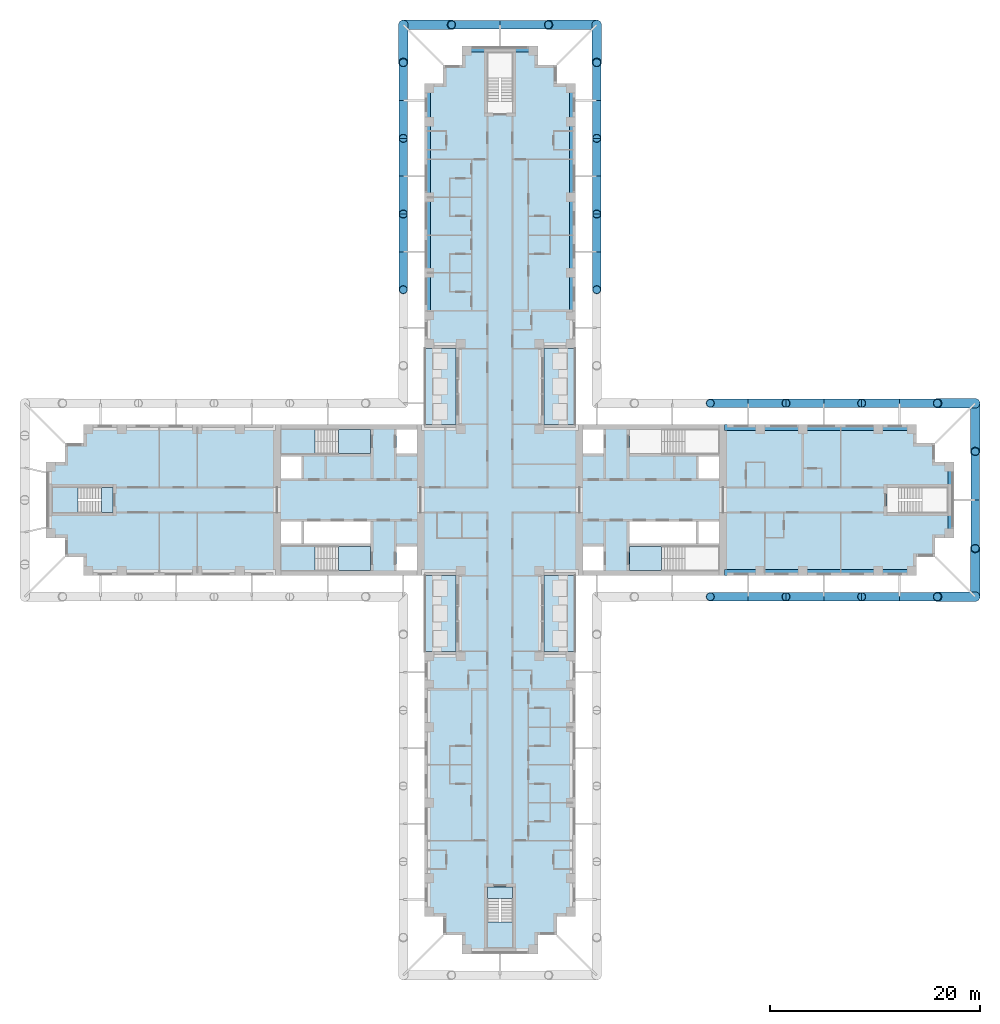
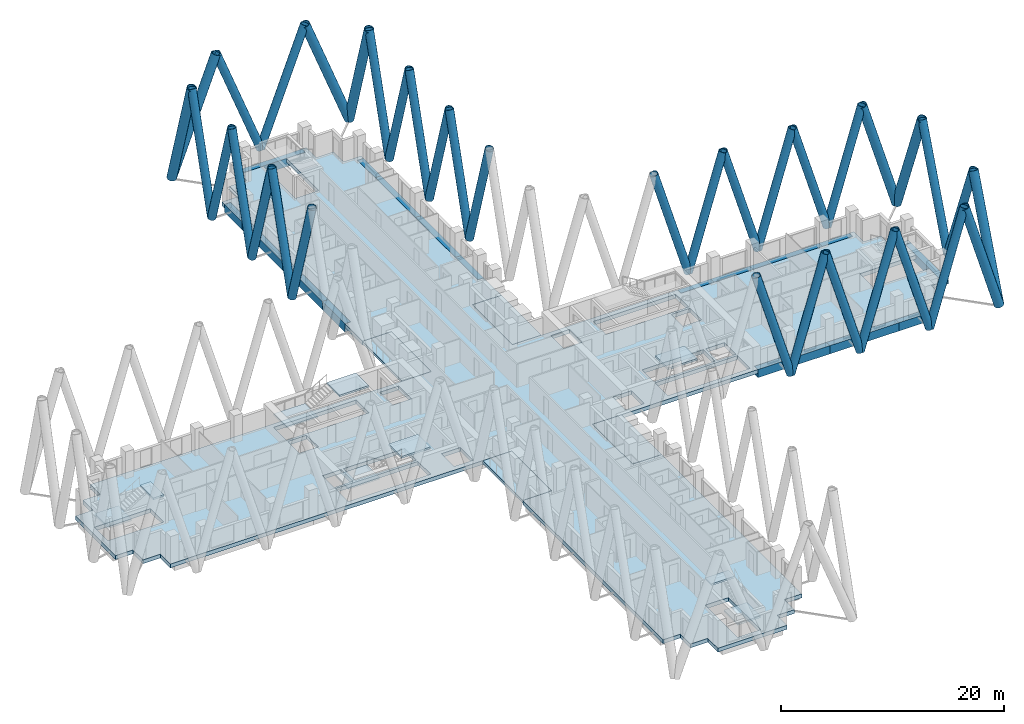
# One storey, part 2 of 17: 36 members, 18 beams, 14 slabs, 5 elements without a shape of their own.
"""IFC4 building model written with IfcOpenShell, lengths in metres."""

import ifcopenshell
import ifcopenshell.guid

model = None  # the IFC model being written
_history = None  # IfcOwnerHistory: only IFC2X3 demands one
_inside = {}  # id of a spatial element -> (the spatial element, [elements in it])
_under = {}  # id of a project, library or spatial element -> (it, [spatial elements below it])
_declared = {}  # id of a project -> (the project, [libraries it declares])
_typed = {}  # id of a type object -> (the type object, [elements of that type])
_made_of = {}  # id of a material, layer set ... -> (it, [elements and type objects made of it])


def new_model(schema):
    """Start an empty IFC model of exactly this schema.

    Asked for "IFC4X3", IfcOpenShell would pick the latest addendum, in which some entities
    have other attributes; the version numbers below select the first issue.
    IFC2X3 requires an IfcOwnerHistory on every rooted entity: one is made here for all.
    """
    global model, _history
    if schema == "IFC4X3":
        model = ifcopenshell.file(schema_version=(4, 3, 0, 0))
    else:
        model = ifcopenshell.file(schema=schema)
    _inside.clear()
    _under.clear()
    _declared.clear()
    _typed.clear()
    _made_of.clear()
    _history = None
    if model.schema == "IFC2X3":
        org = make("IfcOrganization", Name="unknown")
        user = make(
            "IfcPersonAndOrganization",
            ThePerson=make("IfcPerson", FamilyName="unknown"),
            TheOrganization=org,
        )
        app = make(
            "IfcApplication",
            ApplicationDeveloper=org,
            Version="unknown",
            ApplicationFullName="unknown",
            ApplicationIdentifier="unknown",
        )
        _history = make(
            "IfcOwnerHistory",
            OwningUser=user,
            OwningApplication=app,
            ChangeAction="ADDED",
            CreationDate=0,
        )
    return model


def make(cls, **values):
    """One entity of the class cls with the attributes given. An attribute that is None is left unset."""
    return model.create_entity(
        cls, **{name: value for name, value in values.items() if value is not None}
    )


def rooted(cls, **values):
    """An entity with a GlobalId (a new one), such as an element, a storey or a relation."""
    return make(cls, GlobalId=ifcopenshell.guid.new(), OwnerHistory=_history, **values)


def si_unit(unit_type, name, prefix=None):
    """IfcSIUnit, for example si_unit("LENGTHUNIT", "METRE", prefix="MILLI")."""
    return make("IfcSIUnit", UnitType=unit_type, Prefix=prefix, Name=name)


def assignment(units):
    """IfcUnitAssignment: the units of a project."""
    return None if units is None else make("IfcUnitAssignment", Units=units)


def point(xyz):
    """IfcCartesianPoint."""
    return None if xyz is None else make("IfcCartesianPoint", Coordinates=xyz)


def direction(xyz):
    """IfcDirection."""
    return None if xyz is None else make("IfcDirection", DirectionRatios=xyz)


def frame(location, z_axis=None, x_axis=None):
    """IfcAxis2Placement3D, a coordinate frame: its origin and axes. An axis left out is left unset."""
    return make(
        "IfcAxis2Placement3D",
        Location=point(location),
        Axis=direction(z_axis),
        RefDirection=direction(x_axis),
    )


def frame_2d(location, x_axis=None):
    """IfcAxis2Placement2D, a coordinate frame in the plane: its origin and x axis."""
    return make(
        "IfcAxis2Placement2D", Location=point(location), RefDirection=direction(x_axis)
    )


def origin():
    """The frame at (0, 0, 0) with its axes left unset."""
    return frame((0.0, 0.0, 0.0))


def origin_2d():
    """The frame at (0, 0) in the plane with its x axis left unset."""
    return frame_2d((0.0, 0.0))


def place(relative_to, where):
    """IfcLocalPlacement: puts the frame where relative to a parent placement (None: the world)."""
    return make(
        "IfcLocalPlacement", PlacementRelTo=relative_to, RelativePlacement=where
    )


def context(
    kind, dimensions, precision=None, world=None, true_north=None, identifier=None
):
    """IfcGeometricRepresentationContext, for example the 3D "Model" context."""
    return make(
        "IfcGeometricRepresentationContext",
        ContextIdentifier=identifier,
        ContextType=kind,
        CoordinateSpaceDimension=dimensions,
        Precision=precision,
        WorldCoordinateSystem=world,
        TrueNorth=true_north,
    )


def subcontext(parent, identifier, kind, view, scale=None):
    """IfcGeometricRepresentationSubContext, for example "Body" below "Model"."""
    return make(
        "IfcGeometricRepresentationSubContext",
        ContextIdentifier=identifier,
        ContextType=kind,
        ParentContext=parent,
        TargetScale=scale,
        TargetView=view,
    )


def project(units=None, contexts=None):
    """IfcProject with its units and contexts."""
    return rooted(
        "IfcProject",
        Name="project",
        RepresentationContexts=contexts,
        UnitsInContext=assignment(units),
    )


def spatial(cls, under=None, at=None, **own):
    """A site, building, storey or space (cls), placed at a placement, below another one or the project."""
    s = rooted(cls, ObjectPlacement=at, **own)
    if under is not None:
        _under.setdefault(under.id(), (under, []))[1].append(s)
    return s


def polyline(points):
    """IfcPolyline through the points."""
    return make("IfcPolyline", Points=[point(p) for p in points])


def profile(cls, at=None, kind="AREA", **sizes):
    """A parametric profile (cls). Its sizes go by their IFC names, for example OverallWidth=200.0."""
    return make(cls, ProfileType=kind, Position=at, **sizes)


def rectangle(**sizes):
    """IfcRectangleProfileDef."""
    return profile("IfcRectangleProfileDef", **sizes)


def hollow_circle(**sizes):
    """IfcCircleHollowProfileDef."""
    return profile("IfcCircleHollowProfileDef", **sizes)


def outline(outer, holes=None, kind="AREA"):
    """IfcArbitraryClosedProfileDef: a profile drawn as a closed curve; with holes, ...WithVoids."""
    if holes is None:
        return make("IfcArbitraryClosedProfileDef", ProfileType=kind, OuterCurve=outer)
    return make(
        "IfcArbitraryProfileDefWithVoids",
        ProfileType=kind,
        OuterCurve=outer,
        InnerCurves=holes,
    )


def extrude(swept, where, along, depth):
    """IfcExtrudedAreaSolid: the profile swept, set in the frame where, extruded along a direction by depth."""
    return make(
        "IfcExtrudedAreaSolid",
        SweptArea=swept,
        Position=where,
        ExtrudedDirection=direction(along),
        Depth=depth,
    )


def shape(context_of_items, identifier, shape_type, items):
    """IfcShapeRepresentation: the items that make up one representation, for example the "Body"."""
    return make(
        "IfcShapeRepresentation",
        ContextOfItems=context_of_items,
        RepresentationIdentifier=identifier,
        RepresentationType=shape_type,
        Items=items,
    )


def material(Name=None, Category=None):
    """IfcMaterial."""
    return make("IfcMaterial", Name=Name, Category=Category)


def layer(
    of_material, thickness, ventilated=None, Name=None, Category=None, Priority=None
):
    """IfcMaterialLayer: one layer of a wall or slab, of a material (None: an air gap)."""
    return make(
        "IfcMaterialLayer",
        Material=of_material,
        LayerThickness=thickness,
        IsVentilated=ventilated,
        Name=Name,
        Category=Category,
        Priority=Priority,
    )


def layer_set(layers, Name=None):
    """IfcMaterialLayerSet."""
    return make("IfcMaterialLayerSet", MaterialLayers=layers, LayerSetName=Name)


def material_profile(
    of_material, cross_section, Name=None, Category=None, Priority=None
):
    """IfcMaterialProfile: a cross section and its material."""
    return make(
        "IfcMaterialProfile",
        Name=Name,
        Material=of_material,
        Profile=cross_section,
        Priority=Priority,
        Category=Category,
    )


def profile_set(profiles, Name=None, composite=None):
    """IfcMaterialProfileSet."""
    return make(
        "IfcMaterialProfileSet",
        Name=Name,
        MaterialProfiles=profiles,
        CompositeProfile=composite,
    )


def made_of(thing, what):
    """Note that an element or type object is made of a material, layer set ...; save() writes the relation."""
    if what is not None:
        _made_of.setdefault(what.id(), (what, []))[1].append(thing)
    return thing


def type_object(cls, material=None, **own):
    """A type object (cls), such as IfcWallType, which elements share."""
    return made_of(rooted(cls, **own), material)


def element(
    cls,
    number,
    at=None,
    inside=None,
    cuts=None,
    type_object=None,
    material=None,
    context=None,
    identifier="Body",
    shape_type=None,
    held_by="IfcProductDefinitionShape",
    body=None,
    shapes=None,
    **own,
):
    """One element of the class cls, such as IfcWall. Its Tag is "e" and its number.

    at: its placement. inside: the storey or other place that contains it. cuts: it is an
    opening in that element (IfcRelVoidsElement). A single representation is given by context,
    identifier, shape_type and body (its items); several are given by shapes. held_by: the class
    of the entity that holds the representations. save() writes the other relations.
    """
    e = rooted(cls, Tag="e%d" % number, ObjectPlacement=at, **own)
    if body is not None:
        shapes = [shape(context, identifier, shape_type, body)]
    if shapes is not None:
        e.Representation = make(held_by, Representations=shapes)
    if inside is not None:
        _inside.setdefault(inside.id(), (inside, []))[1].append(e)
    if cuts is not None:
        rooted(
            "IfcRelVoidsElement", RelatingBuildingElement=cuts, RelatedOpeningElement=e
        )
    if type_object is not None:
        _typed.setdefault(type_object.id(), (type_object, []))[1].append(e)
    return made_of(e, material)


def aggregate(whole, parts):
    """IfcRelAggregates: a whole, such as a stair, and the parts it consists of."""
    return rooted("IfcRelAggregates", RelatingObject=whole, RelatedObjects=parts)


def save(model, path):
    """Write the relations noted so far, then the file.

    IfcRelAggregates (storeys below a building ...), IfcRelContainedInSpatialStructure (elements
    in a storey), IfcRelDefinesByType, IfcRelAssociatesMaterial and IfcRelDeclares: one each for
    every whole, place, type object, material and project.
    """
    for whole, parts in _under.values():
        aggregate(whole, parts)
    for where, things in _inside.values():
        rooted(
            "IfcRelContainedInSpatialStructure",
            RelatedElements=things,
            RelatingStructure=where,
        )
    for kind, things in _typed.values():
        rooted("IfcRelDefinesByType", RelatedObjects=things, RelatingType=kind)
    for what, things in _made_of.values():
        rooted("IfcRelAssociatesMaterial", RelatedObjects=things, RelatingMaterial=what)
    for by, libraries in _declared.values():
        rooted("IfcRelDeclares", RelatingContext=by, RelatedDefinitions=libraries)
    model.write(path)


model = new_model("IFC4")

# Units and contexts
model_context = context("Model", 3, precision=1e-05, world=origin(), true_north=direction((0.0, 1.0)))
body_context = subcontext(model_context, "Body", "Model", "MODEL_VIEW")
ifc_project = project(units=[si_unit("LENGTHUNIT", "METRE"), si_unit("AREAUNIT", "SQUARE_METRE"), si_unit("VOLUMEUNIT", "CUBIC_METRE"), si_unit("PLANEANGLEUNIT", "RADIAN"), si_unit("MASSUNIT", "GRAM", prefix="KILO")], contexts=[model_context])

# Site, building, storey
site_placement = place(None, origin())
site = spatial("IfcSite", under=ifc_project, at=site_placement, CompositionType="ELEMENT")
building_placement = place(site_placement, origin())
building = spatial("IfcBuilding", under=site, at=building_placement, Name="Fustian Cross Tower", CompositionType="ELEMENT")
storey_placement = place(building_placement, frame((0.0, 0.0, 32.699951171875)))
storey = spatial("IfcBuildingStorey", under=building, at=storey_placement, Name="L09", CompositionType="ELEMENT", Elevation=32.699951171875)

# Members
ifc_material_1 = material(Name="Steel S355", Category="steel")
ifc_material_profile_1 = material_profile(ifc_material_1, hollow_circle(Radius=0.406494140625, WallThickness=0.0400390625, at=origin_2d()), Name="CHS 813x40")
ifc_profile_set_1 = profile_set([ifc_material_profile_1], Name="Steel S355")
member_type_1 = type_object("IfcMemberType", Name="DIAGRID DIAGONAL CHS 813x40", PredefinedType="BRACE", material=ifc_profile_set_1)
for number, where, z_axis, x_axis, name in (
    (1, (23.60009765625, -9.199951171875, 0.0), (-0.287355036744, 0.0, 0.957824139839), (0.0, -1.0, 0.0), "Diagrid diagonal E-S 04"),
    (2, (23.60009765625, -9.199951171875, 0.0), (0.287337158709, 0.0, 0.957829503213), (0.0, 1.0, 0.0), "Diagrid diagonal E-S 05"),
    (3, (30.800048828125, -9.199951171875, 0.0), (-0.287355036744, 0.0, 0.957824139839), (0.0, -1.0, 0.0), "Diagrid diagonal E-S 06"),
    (4, (30.800048828125, -9.199951171875, 0.0), (0.287337158709, 0.0, 0.957829503213), (0.0, 1.0, 0.0), "Diagrid diagonal E-S 07"),
    (5, (38.0, -9.199951171875, 0.0), (-0.287355036744, 0.0, 0.957824139839), (0.0, -1.0, 0.0), "Diagrid diagonal E-S 08"),
    (6, (38.0, -9.199951171875, 0.0), (0.287355036744, 0.0, 0.957824139839), (0.0, 1.0, 0.0), "Diagrid diagonal E-S 09"),
):
    element("IfcMember", number, at=place(storey_placement, frame(where, z_axis=z_axis, x_axis=x_axis)), inside=storey, type_object=member_type_1, Name=name, PredefinedType="BRACE", context=body_context, shape_type="SweptSolid", body=[
        extrude(hollow_circle(Radius=0.406494140625, WallThickness=0.0400390625, at=origin_2d()), origin(), (0.0, 0.0, 1.0), 12.5283203125),
    ])
for number, where, z_axis, x_axis, name in (
    (7, (45.199951171875, 0.0, 0.0), (0.0, -0.3579426369, 0.933743577589), (1.0, 0.0, 0.0), "Diagrid diagonal E-end 02"),
    (8, (45.199951171875, 0.0, 0.0), (0.0, 0.3579426369, 0.933743577589), (-1.0, 0.0, 0.0), "Diagrid diagonal E-end 03"),
):
    element("IfcMember", number, at=place(storey_placement, frame(where, z_axis=z_axis, x_axis=x_axis)), inside=storey, type_object=member_type_1, Name=name, PredefinedType="BRACE", context=body_context, shape_type="SweptSolid", body=[
        extrude(hollow_circle(Radius=0.406494140625, WallThickness=0.0400390625, at=origin_2d()), origin(), (0.0, 0.0, 1.0), 12.8515625),
    ])
for number, where, z_axis, x_axis, name in (
    (9, (38.0, 9.199951171875, 0.0), (0.287355036744, 0.0, 0.957824139839), (0.0, 1.0, 0.0), "Diagrid diagonal E-N 02"),
    (10, (38.0, 9.199951171875, 0.0), (-0.287355036744, 0.0, 0.957824139839), (0.0, -1.0, 0.0), "Diagrid diagonal E-N 03"),
    (11, (30.800048828125, 9.199951171875, 0.0), (0.287337158709, 0.0, 0.957829503213), (0.0, 1.0, 0.0), "Diagrid diagonal E-N 04"),
    (12, (30.800048828125, 9.199951171875, 0.0), (-0.287355036744, 0.0, 0.957824139839), (0.0, -1.0, 0.0), "Diagrid diagonal E-N 05"),
    (13, (23.60009765625, 9.199951171875, 0.0), (0.287337158709, 0.0, 0.957829503213), (0.0, 1.0, 0.0), "Diagrid diagonal E-N 06"),
    (14, (23.60009765625, 9.199951171875, 0.0), (-0.287355036744, 0.0, 0.957824139839), (0.0, -1.0, 0.0), "Diagrid diagonal E-N 07"),
    (15, (9.199951171875, 23.60009765625, 0.0), (0.0, -0.287355036744, 0.957824139839), (1.0, 0.0, 0.0), "Diagrid diagonal N-E 04"),
    (16, (9.199951171875, 23.60009765625, 0.0), (0.0, 0.287337158709, 0.957829503213), (-1.0, 0.0, 0.0), "Diagrid diagonal N-E 05"),
    (17, (9.199951171875, 30.800048828125, 0.0), (0.0, -0.287355036744, 0.957824139839), (1.0, 0.0, 0.0), "Diagrid diagonal N-E 06"),
    (18, (9.199951171875, 30.800048828125, 0.0), (0.0, 0.287337158709, 0.957829503213), (-1.0, 0.0, 0.0), "Diagrid diagonal N-E 07"),
    (19, (9.199951171875, 38.0, 0.0), (0.0, -0.287355036744, 0.957824139839), (1.0, 0.0, 0.0), "Diagrid diagonal N-E 08"),
    (20, (9.199951171875, 38.0, 0.0), (0.0, 0.287355036744, 0.957824139839), (-1.0, 0.0, 0.0), "Diagrid diagonal N-E 09"),
):
    element("IfcMember", number, at=place(storey_placement, frame(where, z_axis=z_axis, x_axis=x_axis)), inside=storey, type_object=member_type_1, Name=name, PredefinedType="BRACE", context=body_context, shape_type="SweptSolid", body=[
        extrude(hollow_circle(Radius=0.406494140625, WallThickness=0.0400390625, at=origin_2d()), origin(), (0.0, 0.0, 1.0), 12.5283203125),
    ])
for number, where, z_axis, x_axis, name in (
    (21, (0.0, 45.199951171875, 0.0), (0.3579426369, 0.0, 0.933743577589), (0.0, 1.0, 0.0), "Diagrid diagonal N-end 02"),
    (22, (0.0, 45.199951171875, 0.0), (-0.3579426369, 0.0, 0.933743577589), (0.0, -1.0, 0.0), "Diagrid diagonal N-end 03"),
):
    element("IfcMember", number, at=place(storey_placement, frame(where, z_axis=z_axis, x_axis=x_axis)), inside=storey, type_object=member_type_1, Name=name, PredefinedType="BRACE", context=body_context, shape_type="SweptSolid", body=[
        extrude(hollow_circle(Radius=0.406494140625, WallThickness=0.0400390625, at=origin_2d()), origin(), (0.0, 0.0, 1.0), 12.8515625),
    ])
for number, where, z_axis, x_axis, name in (
    (23, (-9.199951171875, 38.0, 0.0), (0.0, 0.287355036744, 0.957824139839), (-1.0, 0.0, 0.0), "Diagrid diagonal N-W 02"),
    (24, (-9.199951171875, 38.0, 0.0), (0.0, -0.287355036744, 0.957824139839), (1.0, 0.0, 0.0), "Diagrid diagonal N-W 03"),
    (25, (-9.199951171875, 30.800048828125, 0.0), (0.0, 0.287337158709, 0.957829503213), (-1.0, 0.0, 0.0), "Diagrid diagonal N-W 04"),
    (26, (-9.199951171875, 30.800048828125, 0.0), (0.0, -0.287355036744, 0.957824139839), (1.0, 0.0, 0.0), "Diagrid diagonal N-W 05"),
    (27, (-9.199951171875, 23.60009765625, 0.0), (0.0, 0.287337158709, 0.957829503213), (-1.0, 0.0, 0.0), "Diagrid diagonal N-W 06"),
    (28, (-9.199951171875, 23.60009765625, 0.0), (0.0, -0.287355036744, 0.957824139839), (1.0, 0.0, 0.0), "Diagrid diagonal N-W 07"),
):
    element("IfcMember", number, at=place(storey_placement, frame(where, z_axis=z_axis, x_axis=x_axis)), inside=storey, type_object=member_type_1, Name=name, PredefinedType="BRACE", context=body_context, shape_type="SweptSolid", body=[
        extrude(hollow_circle(Radius=0.406494140625, WallThickness=0.0400390625, at=origin_2d()), origin(), (0.0, 0.0, 1.0), 12.5283203125),
    ])
ifc_material_2 = material(Name="Steel S355", Category="steel")
ifc_material_profile_2 = material_profile(ifc_material_2, hollow_circle(Radius=0.457275390625, WallThickness=0.050048828125, at=origin_2d()), Name="CHS 914x50")
ifc_profile_set_2 = profile_set([ifc_material_profile_2], Name="Steel S355")
member_type_2 = type_object("IfcMemberType", Name="DIAGRID DIAGONAL CHS 914x50", PredefinedType="BRACE", material=ifc_profile_set_2)
member_1_placement = place(storey_placement, frame((45.199951171875, -9.199951171875, 0.0), z_axis=(-0.287337158709, 0.0, 0.957829503213), x_axis=(0.0, -1.0, 0.0)))
element("IfcMember", 29, at=member_1_placement, inside=storey, type_object=member_type_2, Name="Diagrid diagonal E-S 10", PredefinedType="BRACE", context=body_context, shape_type="SweptSolid", body=[
    extrude(hollow_circle(Radius=0.457275390625, WallThickness=0.050048828125, at=origin_2d()), origin(), (0.0, 0.0, 1.0), 12.5283203125),
])
for number, where, z_axis, x_axis, name in (
    (30, (45.199951171875, -9.199951171875, 0.0), (0.0, 0.357926073629, 0.933749926809), (-1.0, 0.0, 0.0), "Diagrid diagonal E-end 01"),
    (31, (45.199951171875, 9.199951171875, 0.0), (0.0, -0.357926073629, 0.933749926809), (1.0, 0.0, 0.0), "Diagrid diagonal E-end 04"),
):
    element("IfcMember", number, at=place(storey_placement, frame(where, z_axis=z_axis, x_axis=x_axis)), inside=storey, type_object=member_type_2, Name=name, PredefinedType="BRACE", context=body_context, shape_type="SweptSolid", body=[
        extrude(hollow_circle(Radius=0.457275390625, WallThickness=0.050048828125, at=origin_2d()), origin(), (0.0, 0.0, 1.0), 12.851318359375),
    ])
for number, where, z_axis, x_axis, name in (
    (32, (45.199951171875, 9.199951171875, 0.0), (-0.287337158709, 0.0, 0.957829503213), (0.0, -1.0, 0.0), "Diagrid diagonal E-N 01"),
    (33, (9.199951171875, 45.199951171875, 0.0), (0.0, -0.287337158709, 0.957829503213), (1.0, 0.0, 0.0), "Diagrid diagonal N-E 10"),
):
    element("IfcMember", number, at=place(storey_placement, frame(where, z_axis=z_axis, x_axis=x_axis)), inside=storey, type_object=member_type_2, Name=name, PredefinedType="BRACE", context=body_context, shape_type="SweptSolid", body=[
        extrude(hollow_circle(Radius=0.457275390625, WallThickness=0.050048828125, at=origin_2d()), origin(), (0.0, 0.0, 1.0), 12.5283203125),
    ])
for number, where, z_axis, x_axis, name in (
    (34, (9.199951171875, 45.199951171875, 0.0), (-0.357926073629, 0.0, 0.933749926809), (0.0, -1.0, 0.0), "Diagrid diagonal N-end 01"),
    (35, (-9.199951171875, 45.199951171875, 0.0), (0.357926073629, 0.0, 0.933749926809), (0.0, 1.0, 0.0), "Diagrid diagonal N-end 04"),
):
    element("IfcMember", number, at=place(storey_placement, frame(where, z_axis=z_axis, x_axis=x_axis)), inside=storey, type_object=member_type_2, Name=name, PredefinedType="BRACE", context=body_context, shape_type="SweptSolid", body=[
        extrude(hollow_circle(Radius=0.457275390625, WallThickness=0.050048828125, at=origin_2d()), origin(), (0.0, 0.0, 1.0), 12.851318359375),
    ])
member_2_placement = place(storey_placement, frame((-9.199951171875, 45.199951171875, 0.0), z_axis=(0.0, -0.287337158709, 0.957829503213), x_axis=(1.0, 0.0, 0.0)))
element("IfcMember", 36, at=member_2_placement, inside=storey, type_object=member_type_2, Name="Diagrid diagonal N-W 01", PredefinedType="BRACE", context=body_context, shape_type="SweptSolid", body=[
    extrude(hollow_circle(Radius=0.457275390625, WallThickness=0.050048828125, at=origin_2d()), origin(), (0.0, 0.0, 1.0), 12.5283203125),
])

# Beams
ifc_material_3 = material(Name="Concrete C50/60", Category="concrete")
ifc_material_profile_3 = material_profile(ifc_material_3, rectangle(XDim=0.60009765625, YDim=0.89990234375, at=origin_2d()), Name="RC 600x900")
ifc_profile_set_3 = profile_set([ifc_material_profile_3], Name="Concrete C50/60")
beam_type = type_object("IfcBeamType", Name="EDGE BEAM RC 600x900 C50/60", PredefinedType="SPANDREL", material=ifc_profile_set_3)
beam_1_placement = place(storey_placement, frame((21.35009765625, -6.89990234375, -0.449951171875), z_axis=(1.0, 0.0, 0.0), x_axis=(0.0, 1.0, 0.0)))
element("IfcBeam", 37, at=beam_1_placement, inside=storey, type_object=beam_type, Name="EDGE BEAM L09-01", PredefinedType="SPANDREL", context=body_context, shape_type="SweptSolid", body=[
    extrude(rectangle(XDim=0.60009765625, YDim=0.89990234375, at=origin_2d()), origin(), (0.0, 0.0, 1.0), 3.39990234375),
])
beam_2_placement = place(storey_placement, frame((24.75, -6.89990234375, -0.449951171875), z_axis=(1.0, 0.0, 0.0), x_axis=(0.0, 1.0, 0.0)))
element("IfcBeam", 38, at=beam_2_placement, inside=storey, type_object=beam_type, Name="EDGE BEAM L09-02", PredefinedType="SPANDREL", context=body_context, shape_type="SweptSolid", body=[
    extrude(rectangle(XDim=0.60009765625, YDim=0.89990234375, at=origin_2d()), origin(), (0.0, 0.0, 1.0), 4.050048828125),
])
beam_3_placement = place(storey_placement, frame((28.800048828125, -6.89990234375, -0.449951171875), z_axis=(1.0, 0.0, 0.0), x_axis=(0.0, 1.0, 0.0)))
element("IfcBeam", 39, at=beam_3_placement, inside=storey, type_object=beam_type, Name="EDGE BEAM L09-03", PredefinedType="SPANDREL", context=body_context, shape_type="SweptSolid", body=[
    extrude(rectangle(XDim=0.60009765625, YDim=0.89990234375, at=origin_2d()), origin(), (0.0, 0.0, 1.0), 7.199951171875),
])
beam_4_placement = place(storey_placement, frame((36.0, -6.89990234375, -0.449951171875), z_axis=(1.0, 0.0, 0.0), x_axis=(0.0, 1.0, 0.0)))
element("IfcBeam", 40, at=beam_4_placement, inside=storey, type_object=beam_type, Name="EDGE BEAM L09-04", PredefinedType="SPANDREL", context=body_context, shape_type="SweptSolid", body=[
    extrude(rectangle(XDim=0.60009765625, YDim=0.89990234375, at=origin_2d()), origin(), (0.0, 0.0, 1.0), 3.14990234375),
])
beam_5_placement = place(storey_placement, frame((42.89990234375, -3.14990234375, -0.449951171875), z_axis=(0.0, 1.0, 0.0), x_axis=(-1.0, 0.0, 0.0)))
element("IfcBeam", 41, at=beam_5_placement, inside=storey, type_object=beam_type, Name="EDGE BEAM L09-05", PredefinedType="SPANDREL", context=body_context, shape_type="SweptSolid", body=[
    extrude(rectangle(XDim=0.60009765625, YDim=0.89990234375, at=origin_2d()), origin(), (0.0, 0.0, 1.0), 6.2998046875),
])
beam_6_placement = place(storey_placement, frame((39.14990234375, 6.89990234375, -0.449951171875), z_axis=(-1.0, 0.0, 0.0), x_axis=(0.0, -1.0, 0.0)))
element("IfcBeam", 42, at=beam_6_placement, inside=storey, type_object=beam_type, Name="EDGE BEAM L09-06", PredefinedType="SPANDREL", context=body_context, shape_type="SweptSolid", body=[
    extrude(rectangle(XDim=0.60009765625, YDim=0.89990234375, at=origin_2d()), origin(), (0.0, 0.0, 1.0), 3.14990234375),
])
beam_7_placement = place(storey_placement, frame((36.0, 6.89990234375, -0.449951171875), z_axis=(-1.0, 0.0, 0.0), x_axis=(0.0, -1.0, 0.0)))
element("IfcBeam", 43, at=beam_7_placement, inside=storey, type_object=beam_type, Name="EDGE BEAM L09-07", PredefinedType="SPANDREL", context=body_context, shape_type="SweptSolid", body=[
    extrude(rectangle(XDim=0.60009765625, YDim=0.89990234375, at=origin_2d()), origin(), (0.0, 0.0, 1.0), 7.199951171875),
])
beam_8_placement = place(storey_placement, frame((28.800048828125, 6.89990234375, -0.449951171875), z_axis=(-1.0, 0.0, 0.0), x_axis=(0.0, -1.0, 0.0)))
element("IfcBeam", 44, at=beam_8_placement, inside=storey, type_object=beam_type, Name="EDGE BEAM L09-08", PredefinedType="SPANDREL", context=body_context, shape_type="SweptSolid", body=[
    extrude(rectangle(XDim=0.60009765625, YDim=0.89990234375, at=origin_2d()), origin(), (0.0, 0.0, 1.0), 4.050048828125),
])
beam_9_placement = place(storey_placement, frame((24.75, 6.89990234375, -0.449951171875), z_axis=(-1.0, 0.0, 0.0), x_axis=(0.0, -1.0, 0.0)))
element("IfcBeam", 45, at=beam_9_placement, inside=storey, type_object=beam_type, Name="EDGE BEAM L09-09", PredefinedType="SPANDREL", context=body_context, shape_type="SweptSolid", body=[
    extrude(rectangle(XDim=0.60009765625, YDim=0.89990234375, at=origin_2d()), origin(), (0.0, 0.0, 1.0), 3.39990234375),
])
beam_10_placement = place(storey_placement, frame((6.89990234375, 17.550048828125, -0.449951171875), z_axis=(0.0, 1.0, 0.0), x_axis=(-1.0, 0.0, 0.0)))
element("IfcBeam", 46, at=beam_10_placement, inside=storey, type_object=beam_type, Name="EDGE BEAM L09-14", PredefinedType="SPANDREL", context=body_context, shape_type="SweptSolid", body=[
    extrude(rectangle(XDim=0.60009765625, YDim=0.89990234375, at=origin_2d()), origin(), (0.0, 0.0, 1.0), 4.050048828125),
])
for number, where, z_axis, x_axis, name in (
    (47, (6.89990234375, 21.60009765625, -0.449951171875), (0.0, 1.0, 0.0), (-1.0, 0.0, 0.0), "EDGE BEAM L09-15"),
    (48, (6.89990234375, 28.800048828125, -0.449951171875), (0.0, 1.0, 0.0), (-1.0, 0.0, 0.0), "EDGE BEAM L09-16"),
):
    element("IfcBeam", number, at=place(storey_placement, frame(where, z_axis=z_axis, x_axis=x_axis)), inside=storey, type_object=beam_type, Name=name, PredefinedType="SPANDREL", context=body_context, shape_type="SweptSolid", body=[
        extrude(rectangle(XDim=0.60009765625, YDim=0.89990234375, at=origin_2d()), origin(), (0.0, 0.0, 1.0), 7.199951171875),
    ])
beam_11_placement = place(storey_placement, frame((6.89990234375, 36.0, -0.449951171875), z_axis=(0.0, 1.0, 0.0), x_axis=(-1.0, 0.0, 0.0)))
element("IfcBeam", 49, at=beam_11_placement, inside=storey, type_object=beam_type, Name="EDGE BEAM L09-17", PredefinedType="SPANDREL", context=body_context, shape_type="SweptSolid", body=[
    extrude(rectangle(XDim=0.60009765625, YDim=0.89990234375, at=origin_2d()), origin(), (0.0, 0.0, 1.0), 3.14990234375),
])
beam_12_placement = place(storey_placement, frame((3.14990234375, 42.89990234375, -0.449951171875), z_axis=(-1.0, 0.0, 0.0), x_axis=(0.0, -1.0, 0.0)))
element("IfcBeam", 50, at=beam_12_placement, inside=storey, type_object=beam_type, Name="EDGE BEAM L09-18", PredefinedType="SPANDREL", context=body_context, shape_type="SweptSolid", body=[
    extrude(rectangle(XDim=0.60009765625, YDim=0.89990234375, at=origin_2d()), origin(), (0.0, 0.0, 1.0), 6.2998046875),
])
beam_13_placement = place(storey_placement, frame((-6.89990234375, 39.14990234375, -0.449951171875), z_axis=(0.0, -1.0, 0.0), x_axis=(1.0, 0.0, 0.0)))
element("IfcBeam", 51, at=beam_13_placement, inside=storey, type_object=beam_type, Name="EDGE BEAM L09-19", PredefinedType="SPANDREL", context=body_context, shape_type="SweptSolid", body=[
    extrude(rectangle(XDim=0.60009765625, YDim=0.89990234375, at=origin_2d()), origin(), (0.0, 0.0, 1.0), 3.14990234375),
])
for number, where, z_axis, x_axis, name in (
    (52, (-6.89990234375, 36.0, -0.449951171875), (0.0, -1.0, 0.0), (1.0, 0.0, 0.0), "EDGE BEAM L09-20"),
    (53, (-6.89990234375, 28.800048828125, -0.449951171875), (0.0, -1.0, 0.0), (1.0, 0.0, 0.0), "EDGE BEAM L09-21"),
):
    element("IfcBeam", number, at=place(storey_placement, frame(where, z_axis=z_axis, x_axis=x_axis)), inside=storey, type_object=beam_type, Name=name, PredefinedType="SPANDREL", context=body_context, shape_type="SweptSolid", body=[
        extrude(rectangle(XDim=0.60009765625, YDim=0.89990234375, at=origin_2d()), origin(), (0.0, 0.0, 1.0), 7.199951171875),
    ])
beam_14_placement = place(storey_placement, frame((-6.89990234375, 21.60009765625, -0.449951171875), z_axis=(0.0, -1.0, 0.0), x_axis=(1.0, 0.0, 0.0)))
element("IfcBeam", 54, at=beam_14_placement, inside=storey, type_object=beam_type, Name="EDGE BEAM L09-22", PredefinedType="SPANDREL", context=body_context, shape_type="SweptSolid", body=[
    extrude(rectangle(XDim=0.60009765625, YDim=0.89990234375, at=origin_2d()), origin(), (0.0, 0.0, 1.0), 4.050048828125),
])

# Slabs
ifc_material_4 = material(Name="Concrete C40/50", Category="concrete")
ifc_layer_1 = layer(ifc_material_4, 0.300048828125)
ifc_layer_set_1 = layer_set([ifc_layer_1], Name="Concrete C40/50")
slab_type_1 = type_object("IfcSlabType", Name="BS1 BALCONY SLAB 300", PredefinedType="FLOOR", material=ifc_layer_set_1)
slab_1_placement = place(storey_placement, frame((0.0, 0.0, -0.300048828125)))
element("IfcSlab", 55, at=slab_1_placement, inside=storey, type_object=slab_type_1, Name="Balcony slab", PredefinedType="FLOOR", context=body_context, shape_type="SweptSolid", body=[
    extrude(outline(polyline([(4.199951171875, 7.199951171875), (7.199951171875, 7.199951171875), (7.199951171875, 14.39990234375), (4.199951171875, 14.39990234375), (4.199951171875, 7.199951171875)])), origin(), (0.0, 0.0, 1.0), 0.300048828125),
])
slab_2_placement = place(storey_placement, frame((0.0, 0.0, -0.300048828125)))
element("IfcSlab", 56, at=slab_2_placement, inside=storey, type_object=slab_type_1, Name="Balcony slab", PredefinedType="FLOOR", context=body_context, shape_type="SweptSolid", body=[
    extrude(outline(polyline([(-7.199951171875, 7.199951171875), (-4.199951171875, 7.199951171875), (-4.199951171875, 14.39990234375), (-7.199951171875, 14.39990234375), (-7.199951171875, 7.199951171875)])), origin(), (0.0, 0.0, 1.0), 0.300048828125),
])
slab_3_placement = place(storey_placement, frame((0.0, 0.0, -0.300048828125)))
element("IfcSlab", 57, at=slab_3_placement, inside=storey, type_object=slab_type_1, Name="Balcony slab", PredefinedType="FLOOR", context=body_context, shape_type="SweptSolid", body=[
    extrude(outline(polyline([(4.199951171875, -14.39990234375), (7.199951171875, -14.39990234375), (7.199951171875, -7.199951171875), (4.199951171875, -7.199951171875), (4.199951171875, -14.39990234375)])), origin(), (0.0, 0.0, 1.0), 0.300048828125),
])
slab_4_placement = place(storey_placement, frame((0.0, 0.0, -0.300048828125)))
element("IfcSlab", 58, at=slab_4_placement, inside=storey, type_object=slab_type_1, Name="Balcony slab", PredefinedType="FLOOR", context=body_context, shape_type="SweptSolid", body=[
    extrude(outline(polyline([(-7.199951171875, -14.39990234375), (-4.199951171875, -14.39990234375), (-4.199951171875, -7.199951171875), (-7.199951171875, -7.199951171875), (-7.199951171875, -14.39990234375)])), origin(), (0.0, 0.0, 1.0), 0.300048828125),
])
ifc_material_5 = material(Name="Concrete C40/50", Category="concrete")
ifc_layer_2 = layer(ifc_material_5, 0.425048828125)
ifc_layer_set_2 = layer_set([ifc_layer_2], Name="Concrete C40/50")
slab_type_2 = type_object("IfcSlabType", Name="FLAT SLAB 425", PredefinedType="FLOOR", material=ifc_layer_set_2)
slab_5_placement = place(storey_placement, frame((0.0, 0.0, -0.425048828125)))
element("IfcSlab", 59, at=slab_5_placement, inside=storey, type_object=slab_type_2, Name="FLOOR SLAB L09-1", PredefinedType="FLOOR", context=body_context, shape_type="SweptSolid", body=[
    extrude(outline(polyline([(-4.199951171875, -7.199951171875), (-39.60009765625, -7.199951171875), (-39.60009765625, -5.39990234375), (-41.39990234375, -5.39990234375), (-41.39990234375, -3.60009765625), (-43.199951171875, -3.60009765625), (-43.199951171875, 3.60009765625), (-41.39990234375, 3.60009765625), (-41.39990234375, 5.39990234375), (-39.60009765625, 5.39990234375), (-39.60009765625, 7.199951171875), (-4.199951171875, 7.199951171875), (-4.199951171875, 14.39990234375), (-7.199951171875, 14.39990234375), (-7.199951171875, 39.60009765625), (-5.39990234375, 39.60009765625), (-5.39990234375, 41.39990234375), (-3.60009765625, 41.39990234375), (-3.60009765625, 43.199951171875), (3.60009765625, 43.199951171875), (3.60009765625, 41.39990234375), (5.39990234375, 41.39990234375), (5.39990234375, 39.60009765625), (7.199951171875, 39.60009765625), (7.199951171875, 14.39990234375), (4.199951171875, 14.39990234375), (4.199951171875, 7.199951171875), (39.60009765625, 7.199951171875), (39.60009765625, 5.39990234375), (41.39990234375, 5.39990234375), (41.39990234375, 3.60009765625), (43.199951171875, 3.60009765625), (43.199951171875, -3.60009765625), (41.39990234375, -3.60009765625), (41.39990234375, -5.39990234375), (39.60009765625, -5.39990234375), (39.60009765625, -7.199951171875), (4.199951171875, -7.199951171875), (4.199951171875, -14.39990234375), (7.199951171875, -14.39990234375), (7.199951171875, -39.60009765625), (5.39990234375, -39.60009765625), (5.39990234375, -41.39990234375), (3.60009765625, -41.39990234375), (3.60009765625, -43.199951171875), (-3.60009765625, -43.199951171875), (-3.60009765625, -41.39990234375), (-5.39990234375, -41.39990234375), (-5.39990234375, -39.60009765625), (-7.199951171875, -39.60009765625), (-7.199951171875, -14.39990234375), (-4.199951171875, -14.39990234375), (-4.199951171875, -7.199951171875)]), holes=[polyline([(18.89990234375, -2.050048828125), (18.89990234375, -4.14990234375), (20.85009765625, -4.14990234375), (20.85009765625, -2.050048828125), (18.89990234375, -2.050048828125)]), polyline([(20.85009765625, 4.14990234375), (18.89990234375, 4.14990234375), (18.89990234375, 2.050048828125), (20.85009765625, 2.050048828125), (20.85009765625, 4.14990234375)]), polyline([(9.85009765625, 4.39990234375), (9.85009765625, 6.699951171875), (7.89990234375, 6.699951171875), (7.89990234375, 4.39990234375), (9.85009765625, 4.39990234375)]), polyline([(7.89990234375, -6.699951171875), (9.85009765625, -6.699951171875), (9.85009765625, -4.39990234375), (7.89990234375, -4.39990234375), (7.89990234375, -6.699951171875)]), polyline([(-20.85009765625, -2.050048828125), (-20.85009765625, -4.14990234375), (-18.89990234375, -4.14990234375), (-18.89990234375, -2.050048828125), (-20.85009765625, -2.050048828125)]), polyline([(-18.89990234375, 4.14990234375), (-20.85009765625, 4.14990234375), (-20.85009765625, 2.050048828125), (-18.89990234375, 2.050048828125), (-18.89990234375, 4.14990234375)]), polyline([(-7.89990234375, 4.39990234375), (-7.89990234375, 6.699951171875), (-9.85009765625, 6.699951171875), (-9.85009765625, 4.39990234375), (-7.89990234375, 4.39990234375)]), polyline([(-9.85009765625, -6.699951171875), (-7.89990234375, -6.699951171875), (-7.89990234375, -4.39990234375), (-9.85009765625, -4.39990234375), (-9.85009765625, -6.699951171875)]), polyline([(12.300048828125, -2.050048828125), (12.300048828125, -4.14990234375), (18.64990234375, -4.14990234375), (18.64990234375, -2.050048828125), (12.300048828125, -2.050048828125)]), polyline([(-12.300048828125, -2.050048828125), (-18.64990234375, -2.050048828125), (-18.64990234375, -4.14990234375), (-12.300048828125, -4.14990234375), (-12.300048828125, -2.050048828125)]), polyline([(20.85009765625, 4.39990234375), (20.85009765625, 6.699951171875), (12.300048828125, 6.699951171875), (12.300048828125, 4.39990234375), (20.85009765625, 4.39990234375)]), polyline([(12.300048828125, -6.699951171875), (20.85009765625, -6.699951171875), (20.85009765625, -4.39990234375), (12.300048828125, -4.39990234375), (12.300048828125, -6.699951171875)]), polyline([(-20.85009765625, 6.699951171875), (-20.85009765625, 4.39990234375), (-12.300048828125, 4.39990234375), (-12.300048828125, 6.699951171875), (-20.85009765625, 6.699951171875)]), polyline([(-12.300048828125, -4.39990234375), (-20.85009765625, -4.39990234375), (-20.85009765625, -6.699951171875), (-12.300048828125, -6.699951171875), (-12.300048828125, -4.39990234375)]), polyline([(1.199951171875, 36.800048828125), (1.199951171875, 42.60009765625), (-1.199951171875, 42.60009765625), (-1.199951171875, 36.800048828125), (1.199951171875, 36.800048828125)]), polyline([(-1.199951171875, -42.60009765625), (1.199951171875, -42.60009765625), (1.199951171875, -36.800048828125), (-1.199951171875, -36.800048828125), (-1.199951171875, -42.60009765625)]), polyline([(36.800048828125, 1.199951171875), (36.800048828125, -1.199951171875), (42.60009765625, -1.199951171875), (42.60009765625, 1.199951171875), (36.800048828125, 1.199951171875)]), polyline([(-36.800048828125, 1.199951171875), (-42.60009765625, 1.199951171875), (-42.60009765625, -1.199951171875), (-36.800048828125, -1.199951171875), (-36.800048828125, 1.199951171875)])]), origin(), (0.0, 0.0, 1.0), 0.425048828125),
])

# Stair, slab
ifc_material_6 = material(Name="Concrete C50/60", Category="concrete")
stair_type_1 = type_object("IfcStairType", Name="STAIR 1150 HALF TURN", PredefinedType="HALF_TURN_STAIR", material=ifc_material_6)
stair_1_placement = place(storey_placement, origin())
stair_1 = element("IfcStair", 60, at=stair_1_placement, inside=storey, type_object=stair_type_1, Name="Stair ST2", PredefinedType="HALF_TURN_STAIR")
ifc_material_7 = material(Name="Concrete C50/60", Category="concrete")
ifc_layer_3 = layer(ifc_material_7, 0.199951171875)
ifc_layer_set_3 = layer_set([ifc_layer_3], Name="Concrete C50/60")
slab_type_3 = type_object("IfcSlabType", Name="STAIR LANDING", PredefinedType="LANDING", material=ifc_layer_set_3)
slab_6_placement = place(storey_placement, frame((0.0, 0.0, 2.800048828125)))
slab_6 = element("IfcSlab", 61, at=slab_6_placement, type_object=slab_type_3, Name="ST2 landing 2", PredefinedType="LANDING", context=body_context, shape_type="SweptSolid", body=[
    extrude(outline(polyline([(12.300048828125, -4.39990234375), (15.35009765625, -4.39990234375), (15.35009765625, -6.699951171875), (12.300048828125, -6.699951171875), (12.300048828125, -4.39990234375)])), origin(), (0.0, 0.0, 1.0), 0.199951171875),
])
aggregate(stair_1, [slab_6])

# Stair, slabs
stair_2_placement = place(storey_placement, origin())
stair_2 = element("IfcStair", 62, at=stair_2_placement, inside=storey, type_object=stair_type_1, Name="Stair ST3", PredefinedType="HALF_TURN_STAIR")
slab_7_placement = place(storey_placement, frame((0.0, 0.0, 1.300048828125)))
slab_7 = element("IfcSlab", 63, at=slab_7_placement, type_object=slab_type_3, Name="ST3 landing 1", PredefinedType="LANDING", context=body_context, shape_type="SweptSolid", body=[
    extrude(outline(polyline([(-17.590087890625, 4.39990234375), (-20.85009765625, 4.39990234375), (-20.85009765625, 6.699951171875), (-17.590087890625, 6.699951171875), (-17.590087890625, 4.39990234375)])), origin(), (0.0, 0.0, 1.0), 0.199951171875),
])
slab_8_placement = place(storey_placement, frame((0.0, 0.0, 2.800048828125)))
slab_8 = element("IfcSlab", 64, at=slab_8_placement, type_object=slab_type_3, Name="ST3 landing 2", PredefinedType="LANDING", context=body_context, shape_type="SweptSolid", body=[
    extrude(outline(polyline([(-12.300048828125, 4.39990234375), (-15.35009765625, 4.39990234375), (-15.35009765625, 6.699951171875), (-12.300048828125, 6.699951171875), (-12.300048828125, 4.39990234375)])), origin(), (0.0, 0.0, 1.0), 0.199951171875),
])
aggregate(stair_2, [slab_7, slab_8])

stair_3_placement = place(storey_placement, origin())
stair_3 = element("IfcStair", 65, at=stair_3_placement, inside=storey, type_object=stair_type_1, Name="Stair ST4", PredefinedType="HALF_TURN_STAIR")
slab_9_placement = place(storey_placement, frame((0.0, 0.0, 1.300048828125)))
slab_9 = element("IfcSlab", 66, at=slab_9_placement, type_object=slab_type_3, Name="ST4 landing 1", PredefinedType="LANDING", context=body_context, shape_type="SweptSolid", body=[
    extrude(outline(polyline([(-17.590087890625, -4.39990234375), (-20.85009765625, -4.39990234375), (-20.85009765625, -6.699951171875), (-17.590087890625, -6.699951171875), (-17.590087890625, -4.39990234375)])), origin(), (0.0, 0.0, 1.0), 0.199951171875),
])
slab_10_placement = place(storey_placement, frame((0.0, 0.0, 2.800048828125)))
slab_10 = element("IfcSlab", 67, at=slab_10_placement, type_object=slab_type_3, Name="ST4 landing 2", PredefinedType="LANDING", context=body_context, shape_type="SweptSolid", body=[
    extrude(outline(polyline([(-12.300048828125, -4.39990234375), (-15.35009765625, -4.39990234375), (-15.35009765625, -6.699951171875), (-12.300048828125, -6.699951171875), (-12.300048828125, -4.39990234375)])), origin(), (0.0, 0.0, 1.0), 0.199951171875),
])
aggregate(stair_3, [slab_9, slab_10])

ifc_material_8 = material(Name="Concrete C50/60", Category="concrete")
stair_type_2 = type_object("IfcStairType", Name="STAIR 1100 HALF TURN", PredefinedType="HALF_TURN_STAIR", material=ifc_material_8)
stair_4_placement = place(storey_placement, origin())
stair_4 = element("IfcStair", 68, at=stair_4_placement, inside=storey, type_object=stair_type_2, Name="Stair ST6", PredefinedType="HALF_TURN_STAIR")
slab_11_placement = place(storey_placement, frame((0.0, 0.0, 1.300048828125)))
slab_11 = element("IfcSlab", 69, at=slab_11_placement, type_object=slab_type_3, Name="ST6 landing 1", PredefinedType="LANDING", context=body_context, shape_type="SweptSolid", body=[
    extrude(outline(polyline([(-1.199951171875, -40.139892578125), (-1.199951171875, -42.60009765625), (1.199951171875, -42.60009765625), (1.199951171875, -40.139892578125), (-1.199951171875, -40.139892578125)])), origin(), (0.0, 0.0, 1.0), 0.199951171875),
])
slab_12_placement = place(storey_placement, frame((0.0, 0.0, 2.800048828125)))
slab_12 = element("IfcSlab", 70, at=slab_12_placement, type_object=slab_type_3, Name="ST6 landing 2", PredefinedType="LANDING", context=body_context, shape_type="SweptSolid", body=[
    extrude(outline(polyline([(-1.199951171875, -36.800048828125), (-1.199951171875, -37.89990234375), (1.199951171875, -37.89990234375), (1.199951171875, -36.800048828125), (-1.199951171875, -36.800048828125)])), origin(), (0.0, 0.0, 1.0), 0.199951171875),
])
aggregate(stair_4, [slab_11, slab_12])

stair_5_placement = place(storey_placement, origin())
stair_5 = element("IfcStair", 71, at=stair_5_placement, inside=storey, type_object=stair_type_2, Name="Stair ST9", PredefinedType="HALF_TURN_STAIR")
slab_13_placement = place(storey_placement, frame((0.0, 0.0, 1.300048828125)))
slab_13 = element("IfcSlab", 72, at=slab_13_placement, type_object=slab_type_3, Name="ST9 landing 1", PredefinedType="LANDING", context=body_context, shape_type="SweptSolid", body=[
    extrude(outline(polyline([(-40.139892578125, -1.199951171875), (-42.60009765625, -1.199951171875), (-42.60009765625, 1.199951171875), (-40.139892578125, 1.199951171875), (-40.139892578125, -1.199951171875)])), origin(), (0.0, 0.0, 1.0), 0.199951171875),
])
slab_14_placement = place(storey_placement, frame((0.0, 0.0, 2.800048828125)))
slab_14 = element("IfcSlab", 73, at=slab_14_placement, type_object=slab_type_3, Name="ST9 landing 2", PredefinedType="LANDING", context=body_context, shape_type="SweptSolid", body=[
    extrude(outline(polyline([(-36.800048828125, -1.199951171875), (-37.89990234375, -1.199951171875), (-37.89990234375, 1.199951171875), (-36.800048828125, 1.199951171875), (-36.800048828125, -1.199951171875)])), origin(), (0.0, 0.0, 1.0), 0.199951171875),
])
aggregate(stair_5, [slab_13, slab_14])

save(model, "model.ifc")
